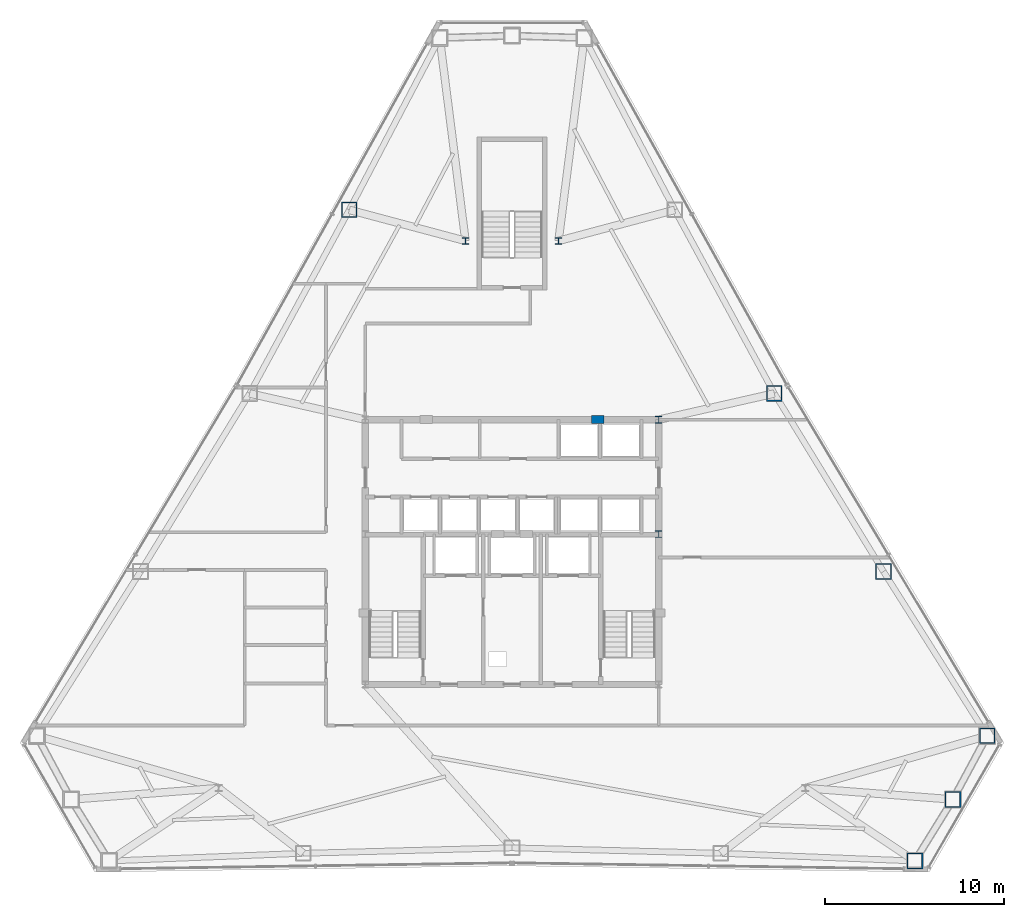
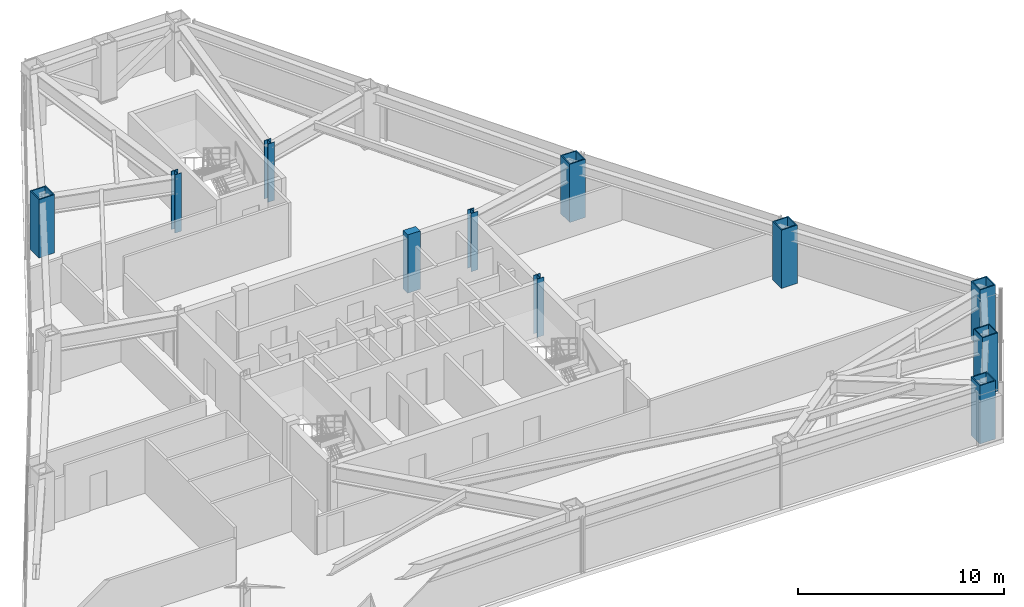
# One storey, part 2 of 13: 11 columns.
"""IFC4 building model written with IfcOpenShell, lengths in metres."""

from ifc_helpers import new_model, si_unit, direction, frame, origin, origin_2d, place, context, subcontext, project, spatial, rectangle, hollow_rectangle, i_section, extrude, material, material_profile, profile_set, type_object, element, save


model = new_model("IFC4")

# Units and contexts
model_context = context("Model", 3, precision=1e-05, world=origin(), true_north=direction((0.0, 1.0)))
body_context = subcontext(model_context, "Body", "Model", "MODEL_VIEW")
ifc_project = project(units=[si_unit("LENGTHUNIT", "METRE"), si_unit("AREAUNIT", "SQUARE_METRE"), si_unit("VOLUMEUNIT", "CUBIC_METRE"), si_unit("PLANEANGLEUNIT", "RADIAN"), si_unit("MASSUNIT", "GRAM", prefix="KILO")], contexts=[model_context])

# Site, building, storey
site_placement = place(None, origin())
site = spatial("IfcSite", under=ifc_project, at=site_placement, CompositionType="ELEMENT")
building_placement = place(site_placement, origin())
building = spatial("IfcBuilding", under=site, at=building_placement, Name="Varakhsha Concourse Tower", CompositionType="ELEMENT")
storey_placement = place(building_placement, frame((0.0, 0.0, 143.60009765625)))
storey = spatial("IfcBuildingStorey", under=building, at=storey_placement, Name="L41", CompositionType="ELEMENT", Elevation=143.60009765625)

# Columns
ifc_material_1 = material(Name="Structural Steel ASTM A992 Grade 50", Category="steel")
ifc_material_profile_1 = material_profile(ifc_material_1, i_section(OverallWidth=0.3740234375, OverallDepth=0.3720703125, WebThickness=0.01611328125, FlangeThickness=0.02587890625, at=origin_2d()), Name="W14X132")
ifc_profile_set_1 = profile_set([ifc_material_profile_1], Name="Structural Steel ASTM A992 Grade 50")
column_type_1 = type_object("IfcColumnType", Name="CL-CORE-W14X132", PredefinedType="COLUMN", material=ifc_profile_set_1)
for number, where, z_axis, x_axis, name in (
    (1, (48.199951171875, 24.800048828125, 0.0), (0.0, 0.0, 1.0), (1.0, 0.0, 0.0), "L41 Core Column CC-ME"),
    (2, (48.199951171875, 31.199951171875, 0.0), (0.0, 0.0, 1.0), (1.0, 0.0, 0.0), "L41 Core Column CC-NE"),
    (3, (37.39990234375, 41.199951171875, 0.0), (0.0, 0.0, 1.0), (1.0, 0.0, 0.0), "L41 Core Column NS-W"),
    (4, (42.60009765625, 41.199951171875, 0.0), (0.0, 0.0, 1.0), (1.0, 0.0, 0.0), "L41 Core Column NS-E"),
):
    element("IfcColumn", number, at=place(storey_placement, frame(where, z_axis=z_axis, x_axis=x_axis)), inside=storey, type_object=column_type_1, Name=name, PredefinedType="COLUMN", context=body_context, shape_type="SweptSolid", body=[
        extrude(i_section(OverallWidth=0.3740234375, OverallDepth=0.3720703125, WebThickness=0.01611328125, FlangeThickness=0.02587890625, at=origin_2d()), origin(), (0.0, 0.0, 1.0), 3.449951171875),
    ])
ifc_material_2 = material(Name="Concrete fc 65 MPa", Category="concrete")
ifc_material_profile_2 = material_profile(ifc_material_2, rectangle(XDim=0.699951171875, YDim=0.449951171875, at=origin_2d()), Name="RC 700x450")
ifc_profile_set_2 = profile_set([ifc_material_profile_2], Name="Concrete fc 65 MPa")
column_type_2 = type_object("IfcColumnType", Name="CL-PIL-700X450", PredefinedType="PILASTER", material=ifc_profile_set_2)
column_placement = place(storey_placement, frame((44.800048828125, 31.199951171875, 0.0), z_axis=(0.0, 0.0, 1.0), x_axis=(1.0, 0.0, 0.0)))
element("IfcColumn", 5, at=column_placement, inside=storey, type_object=column_type_2, Name="L41 Core Boundary Pilaster PIL-N2", PredefinedType="PILASTER", context=body_context, shape_type="SweptSolid", body=[
    extrude(rectangle(XDim=0.699951171875, YDim=0.449951171875, at=origin_2d()), origin(), (0.0, 0.0, 1.0), 3.449951171875),
])
ifc_material_3 = material(Name="Structural Steel ASTM A572 Grade 50", Category="steel")
ifc_material_profile_3 = material_profile(ifc_material_3, hollow_rectangle(XDim=0.8798828125, YDim=0.8798828125, WallThickness=0.06005859375, at=origin_2d()), Name="BOX 880x880x60")
ifc_profile_set_3 = profile_set([ifc_material_profile_3], Name="Structural Steel ASTM A572 Grade 50")
column_type_3 = type_object("IfcColumnType", Name="CL-TUBE-880", PredefinedType="COLUMN", material=ifc_profile_set_3)
for number, where, z_axis, x_axis, name in (
    (6, (30.90380859375, 42.933837890625, 0.0), (0.0, 0.0, 1.0), (1.0, 0.0, 0.0), "L41 Framed-Tube Column TC04"),
    (7, (62.52880859375, 6.524658203125, 0.0), (0.0, 0.0, 1.0), (1.0, 0.0, 0.0), "L41 Framed-Tube Column TC13"),
    (8, (64.65576171875, 9.96484375, 0.0), (0.0, 0.0, 1.0), (1.0, 0.0, 0.0), "L41 Framed-Tube Column TC14"),
    (9, (66.57177734375, 13.527099609375, 0.0), (0.0, 0.0, 1.0), (1.0, 0.0, 0.0), "L41 Framed-Tube Column TC15"),
    (10, (60.77197265625, 22.710693359375, 0.0), (0.0, 0.0, 1.0), (1.0, 0.0, 0.0), "L41 Framed-Tube Column TC16"),
    (11, (54.66748046875, 32.668212890625, 0.0), (0.0, 0.0, 1.0), (1.0, 0.0, 0.0), "L41 Framed-Tube Column TC17"),
):
    element("IfcColumn", number, at=place(storey_placement, frame(where, z_axis=z_axis, x_axis=x_axis)), inside=storey, type_object=column_type_3, Name=name, PredefinedType="COLUMN", context=body_context, shape_type="SweptSolid", body=[
        extrude(hollow_rectangle(XDim=0.8798828125, YDim=0.8798828125, WallThickness=0.06005859375, at=origin_2d()), origin(), (0.0, 0.0, 1.0), 3.449951171875),
    ])

save(model, "model.ifc")
